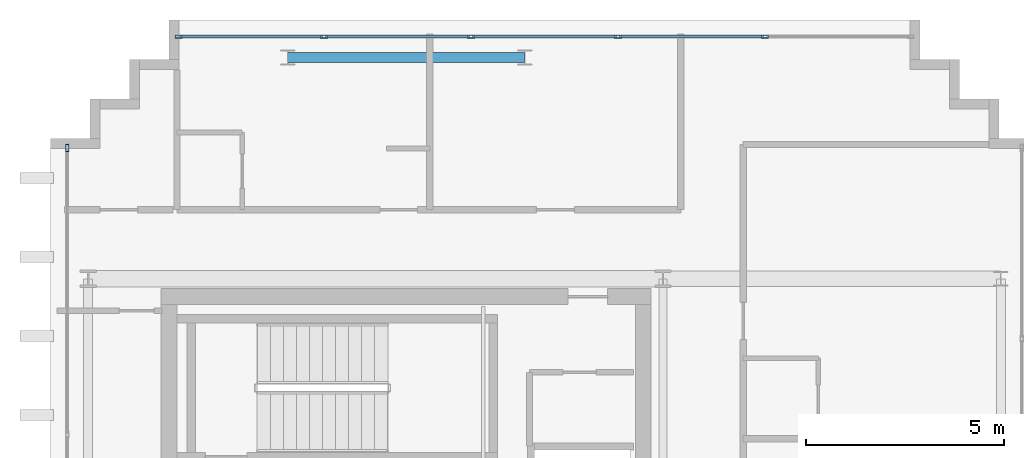
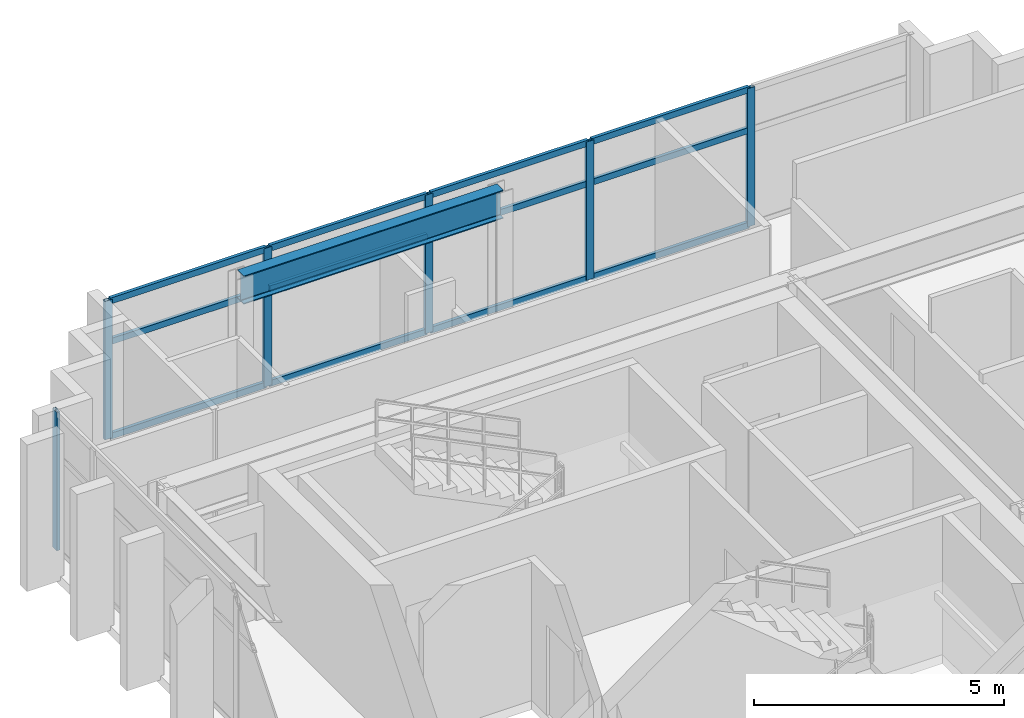
# One storey, part 9 of 15: 18 members, 1 beam, 2 elements without a shape of their own.
"""IFC4 building model written with IfcOpenShell, lengths in metres."""

from ifc_helpers import new_model, si_unit, direction, frame, origin, origin_2d, place, context, subcontext, project, spatial, hollow_rectangle, i_section, extrude, source, transform, mapped, material, layer, layer_set, material_profile, profile_set, type_object, element, aggregate, save


model = new_model("IFC4")

# Units and contexts
model_context = context("Model", 3, precision=1e-05, world=origin(), true_north=direction((0.0, 1.0)))
body_context = subcontext(model_context, "Body", "Model", "MODEL_VIEW")
ifc_project = project(units=[si_unit("LENGTHUNIT", "METRE"), si_unit("AREAUNIT", "SQUARE_METRE"), si_unit("VOLUMEUNIT", "CUBIC_METRE"), si_unit("PLANEANGLEUNIT", "RADIAN"), si_unit("MASSUNIT", "GRAM", prefix="KILO")], contexts=[model_context])

# Site, building, storey
site_placement = place(None, origin())
site = spatial("IfcSite", under=ifc_project, at=site_placement, CompositionType="ELEMENT")
building_placement = place(site_placement, origin())
building = spatial("IfcBuilding", under=site, at=building_placement, Name="Ocotamira Hotel", CompositionType="ELEMENT")
storey_placement = place(building_placement, frame((0.0, 0.0, 290.39990234375)))
storey = spatial("IfcBuildingStorey", under=building, at=storey_placement, Name="L74", CompositionType="ELEMENT", Elevation=290.39990234375)

# Beam
ifc_material_1 = material(Name="Steel ASTM A992 Grade 50", Category="steel")
ifc_material_profile_1 = material_profile(ifc_material_1, i_section(OverallWidth=0.256103515625, OverallDepth=0.693115234375, WebThickness=0.014404296875, FlangeThickness=0.023681640625, FilletRadius=0.01611328125, at=origin_2d()), Name="W27X114")
ifc_profile_set_1 = profile_set([ifc_material_profile_1], Name="Steel ASTM A992 Grade 50")
beam_type = type_object("IfcBeamType", Name="BM-PRIM-W27X114", PredefinedType="BEAM", material=ifc_profile_set_1)
shared_shape_1 = source(origin(), body_context, "Body", "SweptSolid", [
    extrude(i_section(OverallWidth=0.256103515625, OverallDepth=0.693115234375, WebThickness=0.014404296875, FlangeThickness=0.023681640625, FilletRadius=0.01611328125, at=origin_2d()), origin(), (0.0, 0.0, 1.0), 6.0),
])
beam_placement = place(storey_placement, frame((14.0, 43.050048828125, 3.03369140625), z_axis=(1.0, 0.0, 0.0), x_axis=(0.0, 1.0, 0.0)))
element("IfcBeam", 1, at=beam_placement, inside=storey, type_object=beam_type, Name="L74 Girder Y43.05 X14-20", PredefinedType="BEAM", context=body_context, shape_type="MappedRepresentation", body=[
    mapped(shared_shape_1, transform((0.0, 0.0, 0.0), scale=1.0)),
])

# Curtain wall, members
ifc_material_2 = material(Name="Anodised pale-metal aluminium and solar glass", Category="aluminium")
ifc_layer = layer(ifc_material_2, 0.2099609375)
ifc_layer_set = layer_set([ifc_layer], Name="Anodised pale-metal aluminium and solar glass")
curtain_wall_type = type_object("IfcCurtainWallType", Name="CW-SYS7-PEAK", PredefinedType="NOTDEFINED", material=ifc_layer_set)
curtain_wall_1_placement = place(storey_placement, origin())
curtain_wall_1 = element("IfcCurtainWall", 2, at=curtain_wall_1_placement, inside=storey, type_object=curtain_wall_type, Name="L74 Curtain Wall CW-7 CW-L74-N", PredefinedType="NOTDEFINED")
ifc_material_3 = material(Name="Anodised pale-metal aluminium 6063-T6", Category="aluminium")
ifc_material_profile_2 = material_profile(ifc_material_3, hollow_rectangle(XDim=0.080078125, YDim=0.179931640625, WallThickness=0.006103515625, at=origin_2d()), Name="HSS180X80X6")
ifc_profile_set_2 = profile_set([ifc_material_profile_2], Name="Anodised pale-metal aluminium 6063-T6")
member_type_1 = type_object("IfcMemberType", Name="CWM-180X75", PredefinedType="MULLION", material=ifc_profile_set_2)
shared_shape_2 = source(origin(), body_context, "Body", "SweptSolid", [
    extrude(hollow_rectangle(XDim=0.080078125, YDim=0.179931640625, WallThickness=0.006103515625, at=origin_2d()), origin(), (0.0, 0.0, 1.0), 3.380126953125),
])
member_1_placement = place(storey_placement, frame((11.239990234375, 43.580078125, 0.0), z_axis=(0.0, 0.0, 1.0), x_axis=(0.0, 1.0, 0.0)))
member_1 = element("IfcMember", 3, at=member_1_placement, type_object=member_type_1, Name="CW-7 mullion 1", PredefinedType="MULLION", context=body_context, shape_type="MappedRepresentation", body=[
    mapped(shared_shape_2, transform((0.0, 0.0, 0.0), scale=1.0)),
])
member_2_placement = place(storey_placement, frame((14.919921875, 43.580078125, 0.0), z_axis=(0.0, 0.0, 1.0), x_axis=(0.0, 1.0, 0.0)))
member_2 = element("IfcMember", 4, at=member_2_placement, type_object=member_type_1, Name="CW-7 mullion 2", PredefinedType="MULLION", context=body_context, shape_type="MappedRepresentation", body=[
    mapped(shared_shape_2, transform((0.0, 0.0, 0.0), scale=1.0)),
])
member_3_placement = place(storey_placement, frame((18.639892578125, 43.580078125, 0.0), z_axis=(0.0, 0.0, 1.0), x_axis=(0.0, 1.0, 0.0)))
member_3 = element("IfcMember", 5, at=member_3_placement, type_object=member_type_1, Name="CW-7 mullion 3", PredefinedType="MULLION", context=body_context, shape_type="MappedRepresentation", body=[
    mapped(shared_shape_2, transform((0.0, 0.0, 0.0), scale=1.0)),
])
member_4_placement = place(storey_placement, frame((22.360107421875, 43.580078125, 0.0), z_axis=(0.0, 0.0, 1.0), x_axis=(0.0, 1.0, 0.0)))
member_4 = element("IfcMember", 6, at=member_4_placement, type_object=member_type_1, Name="CW-7 mullion 4", PredefinedType="MULLION", context=body_context, shape_type="MappedRepresentation", body=[
    mapped(shared_shape_2, transform((0.0, 0.0, 0.0), scale=1.0)),
])
member_5_placement = place(storey_placement, frame((26.080078125, 43.580078125, 0.0), z_axis=(0.0, 0.0, 1.0), x_axis=(0.0, 1.0, 0.0)))
member_5 = element("IfcMember", 7, at=member_5_placement, type_object=member_type_1, Name="CW-7 mullion 5", PredefinedType="MULLION", context=body_context, shape_type="MappedRepresentation", body=[
    mapped(shared_shape_2, transform((0.0, 0.0, 0.0), scale=1.0)),
])

# Curtain wall, member
curtain_wall_2_placement = place(storey_placement, origin())
curtain_wall_2 = element("IfcCurtainWall", 8, at=curtain_wall_2_placement, inside=storey, type_object=curtain_wall_type, Name="L74 Curtain Wall CW-7 CW-L74-W2", PredefinedType="NOTDEFINED")
member_6_placement = place(storey_placement, frame((8.419921875, 40.760009765625, 0.0), z_axis=(0.0, 0.0, 1.0), x_axis=(-1.0, 0.0, 0.0)))
member_6 = element("IfcMember", 9, at=member_6_placement, type_object=member_type_1, Name="CW-7 mullion 3", PredefinedType="MULLION", context=body_context, shape_type="MappedRepresentation", body=[
    mapped(shared_shape_2, transform((0.0, 0.0, 0.0), scale=1.0)),
])
aggregate(curtain_wall_2, [member_6])

# Member
ifc_material_profile_3 = material_profile(ifc_material_3, hollow_rectangle(XDim=0.074951171875, YDim=0.14990234375, WallThickness=0.006103515625, at=origin_2d()), Name="HSS150X75X6")
ifc_profile_set_3 = profile_set([ifc_material_profile_3], Name="Anodised pale-metal aluminium 6063-T6")
member_type_2 = type_object("IfcMemberType", Name="CWT-150X75", PredefinedType="USERDEFINED", material=ifc_profile_set_3)
shared_shape_3 = source(origin(), body_context, "Body", "SweptSolid", [
    extrude(hollow_rectangle(XDim=0.074951171875, YDim=0.14990234375, WallThickness=0.006103515625, at=origin_2d()), origin(), (0.0, 0.0, 1.0), 3.599853515625),
])
member_7_placement = place(storey_placement, frame((11.280029296875, 43.580078125, 0.03759765625), z_axis=(1.0, 0.0, 0.0), x_axis=(0.0, 1.0, 0.0)))
member_7 = element("IfcMember", 10, at=member_7_placement, type_object=member_type_2, Name="CW-7 transom 1.1", ObjectType="TRANSOM", PredefinedType="USERDEFINED", context=body_context, shape_type="MappedRepresentation", body=[
    mapped(shared_shape_3, transform((0.0, 0.0, 0.0), scale=1.0)),
])

member_8_placement = place(storey_placement, frame((11.280029296875, 43.580078125, 2.35009765625), z_axis=(1.0, 0.0, 0.0), x_axis=(0.0, 1.0, 0.0)))
member_8 = element("IfcMember", 11, at=member_8_placement, type_object=member_type_2, Name="CW-7 transom 1.2", ObjectType="TRANSOM", PredefinedType="USERDEFINED", context=body_context, shape_type="MappedRepresentation", body=[
    mapped(shared_shape_3, transform((0.0, 0.0, 0.0), scale=1.0)),
])

member_9_placement = place(storey_placement, frame((11.280029296875, 43.580078125, 3.342529296875), z_axis=(1.0, 0.0, 0.0), x_axis=(0.0, 1.0, 0.0)))
member_9 = element("IfcMember", 12, at=member_9_placement, type_object=member_type_2, Name="CW-7 transom 1.3", ObjectType="TRANSOM", PredefinedType="USERDEFINED", context=body_context, shape_type="MappedRepresentation", body=[
    mapped(shared_shape_3, transform((0.0, 0.0, 0.0), scale=1.0)),
])

shared_shape_4 = source(origin(), body_context, "Body", "SweptSolid", [
    extrude(hollow_rectangle(XDim=0.074951171875, YDim=0.14990234375, WallThickness=0.006103515625, at=origin_2d()), origin(), (0.0, 0.0, 1.0), 3.64013671875),
])
member_10_placement = place(storey_placement, frame((14.9599609375, 43.580078125, 0.03759765625), z_axis=(1.0, 0.0, 0.0), x_axis=(0.0, 1.0, 0.0)))
member_10 = element("IfcMember", 13, at=member_10_placement, type_object=member_type_2, Name="CW-7 transom 2.1", ObjectType="TRANSOM", PredefinedType="USERDEFINED", context=body_context, shape_type="MappedRepresentation", body=[
    mapped(shared_shape_4, transform((0.0, 0.0, 0.0), scale=1.0)),
])

member_11_placement = place(storey_placement, frame((14.9599609375, 43.580078125, 2.35009765625), z_axis=(1.0, 0.0, 0.0), x_axis=(0.0, 1.0, 0.0)))
member_11 = element("IfcMember", 14, at=member_11_placement, type_object=member_type_2, Name="CW-7 transom 2.2", ObjectType="TRANSOM", PredefinedType="USERDEFINED", context=body_context, shape_type="MappedRepresentation", body=[
    mapped(shared_shape_4, transform((0.0, 0.0, 0.0), scale=1.0)),
])

member_12_placement = place(storey_placement, frame((14.9599609375, 43.580078125, 3.342529296875), z_axis=(1.0, 0.0, 0.0), x_axis=(0.0, 1.0, 0.0)))
member_12 = element("IfcMember", 15, at=member_12_placement, type_object=member_type_2, Name="CW-7 transom 2.3", ObjectType="TRANSOM", PredefinedType="USERDEFINED", context=body_context, shape_type="MappedRepresentation", body=[
    mapped(shared_shape_4, transform((0.0, 0.0, 0.0), scale=1.0)),
])

member_13_placement = place(storey_placement, frame((18.679931640625, 43.580078125, 0.03759765625), z_axis=(1.0, 0.0, 0.0), x_axis=(0.0, 1.0, 0.0)))
member_13 = element("IfcMember", 16, at=member_13_placement, type_object=member_type_2, Name="CW-7 transom 3.1", ObjectType="TRANSOM", PredefinedType="USERDEFINED", context=body_context, shape_type="MappedRepresentation", body=[
    mapped(shared_shape_4, transform((0.0, 0.0, 0.0), scale=1.0)),
])

member_14_placement = place(storey_placement, frame((18.679931640625, 43.580078125, 2.35009765625), z_axis=(1.0, 0.0, 0.0), x_axis=(0.0, 1.0, 0.0)))
member_14 = element("IfcMember", 17, at=member_14_placement, type_object=member_type_2, Name="CW-7 transom 3.2", ObjectType="TRANSOM", PredefinedType="USERDEFINED", context=body_context, shape_type="MappedRepresentation", body=[
    mapped(shared_shape_4, transform((0.0, 0.0, 0.0), scale=1.0)),
])

member_15_placement = place(storey_placement, frame((18.679931640625, 43.580078125, 3.342529296875), z_axis=(1.0, 0.0, 0.0), x_axis=(0.0, 1.0, 0.0)))
member_15 = element("IfcMember", 18, at=member_15_placement, type_object=member_type_2, Name="CW-7 transom 3.3", ObjectType="TRANSOM", PredefinedType="USERDEFINED", context=body_context, shape_type="MappedRepresentation", body=[
    mapped(shared_shape_4, transform((0.0, 0.0, 0.0), scale=1.0)),
])

member_16_placement = place(storey_placement, frame((22.39990234375, 43.580078125, 0.03759765625), z_axis=(1.0, 0.0, 0.0), x_axis=(0.0, 1.0, 0.0)))
member_16 = element("IfcMember", 19, at=member_16_placement, type_object=member_type_2, Name="CW-7 transom 4.1", ObjectType="TRANSOM", PredefinedType="USERDEFINED", context=body_context, shape_type="MappedRepresentation", body=[
    mapped(shared_shape_4, transform((0.0, 0.0, 0.0), scale=1.0)),
])

member_17_placement = place(storey_placement, frame((22.39990234375, 43.580078125, 2.35009765625), z_axis=(1.0, 0.0, 0.0), x_axis=(0.0, 1.0, 0.0)))
member_17 = element("IfcMember", 20, at=member_17_placement, type_object=member_type_2, Name="CW-7 transom 4.2", ObjectType="TRANSOM", PredefinedType="USERDEFINED", context=body_context, shape_type="MappedRepresentation", body=[
    mapped(shared_shape_4, transform((0.0, 0.0, 0.0), scale=1.0)),
])

member_18_placement = place(storey_placement, frame((22.39990234375, 43.580078125, 3.342529296875), z_axis=(1.0, 0.0, 0.0), x_axis=(0.0, 1.0, 0.0)))
member_18 = element("IfcMember", 21, at=member_18_placement, type_object=member_type_2, Name="CW-7 transom 4.3", ObjectType="TRANSOM", PredefinedType="USERDEFINED", context=body_context, shape_type="MappedRepresentation", body=[
    mapped(shared_shape_4, transform((0.0, 0.0, 0.0), scale=1.0)),
])

aggregate(curtain_wall_1, [member_1, member_2, member_3, member_4, member_5, member_7, member_8, member_9, member_10, member_11, member_12, member_13, member_14, member_15, member_16, member_17, member_18])

save(model, "model.ifc")
